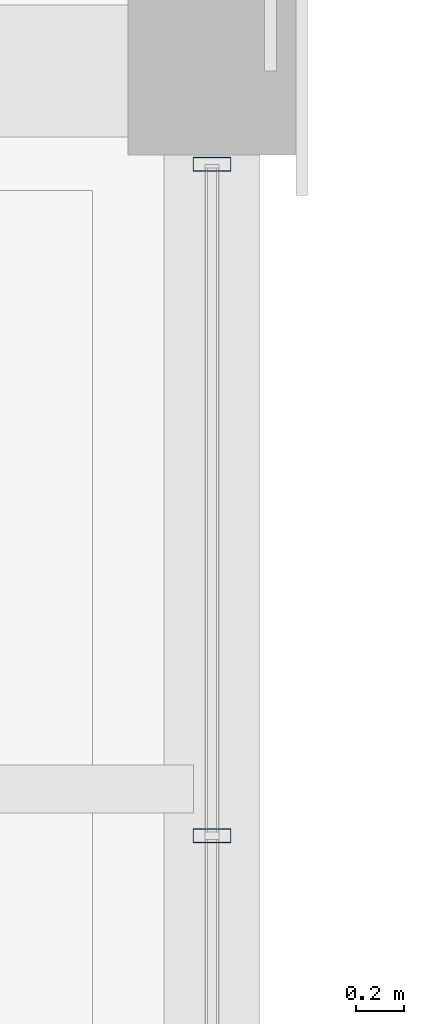
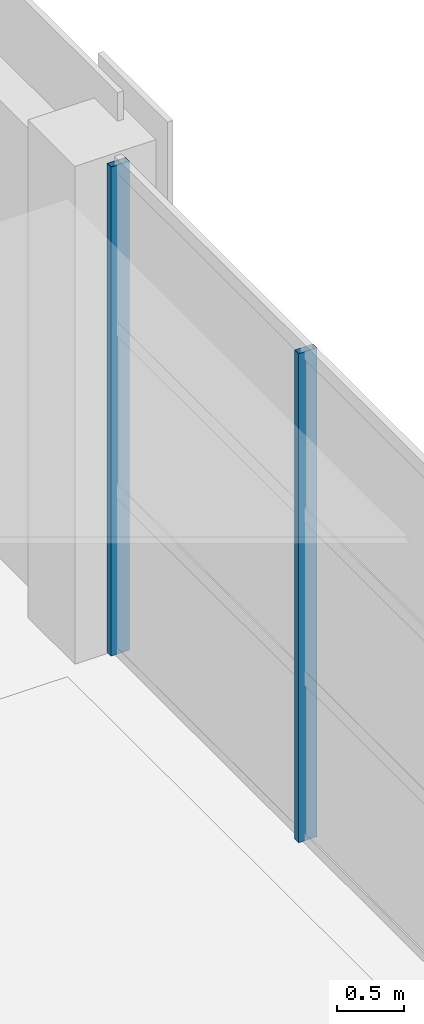
# One storey, part 39 of 112: 2 members, 1 element without a shape of its own.
"""IFC4 building model written with IfcOpenShell, lengths in metres."""

from ifc_helpers import new_model, si_unit, direction, frame, origin, origin_2d, place, context, subcontext, project, spatial, hollow_rectangle, extrude, material, material_profile, profile_set, type_object, element, aggregate, save


model = new_model("IFC4")

# Units and contexts
model_context = context("Model", 3, precision=1e-05, world=origin(), true_north=direction((0.0, 1.0)))
body_context = subcontext(model_context, "Body", "Model", "MODEL_VIEW")
ifc_project = project(units=[si_unit("LENGTHUNIT", "METRE"), si_unit("AREAUNIT", "SQUARE_METRE"), si_unit("VOLUMEUNIT", "CUBIC_METRE"), si_unit("PLANEANGLEUNIT", "RADIAN"), si_unit("MASSUNIT", "GRAM", prefix="KILO")], contexts=[model_context])

# Site, building, storey
site_placement = place(None, origin())
site = spatial("IfcSite", under=ifc_project, at=site_placement, CompositionType="ELEMENT")
building_placement = place(site_placement, origin())
building = spatial("IfcBuilding", under=site, at=building_placement, Name="Solvikara Media Centre", CompositionType="ELEMENT")
storey_placement = place(building_placement, frame((0.0, 0.0, 5.39990234375)))
storey = spatial("IfcBuildingStorey", under=building, at=storey_placement, Name="L01", CompositionType="ELEMENT", Elevation=5.39990234375)

# Curtain wall, members
ifc_material = material(Name="Anodised aluminium EN AW-6063", Category="aluminium")
curtain_wall_type = type_object("IfcCurtainWallType", Name="CW-07", PredefinedType="NOTDEFINED", material=ifc_material)
curtain_wall_placement = place(storey_placement, origin())
curtain_wall = element("IfcCurtainWall", 1, at=curtain_wall_placement, inside=storey, type_object=curtain_wall_type, Name="CW-L01-V4E-S2", PredefinedType="NOTDEFINED")
ifc_material_profile = material_profile(ifc_material, hollow_rectangle(XDim=0.06005859375, YDim=0.159912109375, WallThickness=0.00341796875, at=origin_2d()), Name="ALU-M 60x160x3.5")
ifc_profile_set = profile_set([ifc_material_profile], Name="Anodised aluminium EN AW-6063")
member_type = type_object("IfcMemberType", Name="MF-04", PredefinedType="MULLION", material=ifc_profile_set)
member_1_placement = place(storey_placement, frame((34.0, 65.304931640625, 0.02001953125), z_axis=(0.0, 0.0, 1.0), x_axis=(0.0, 1.0, 0.0)))
member_1 = element("IfcMember", 2, at=member_1_placement, type_object=member_type, Name="CW-L01-V4E-S2-M03", PredefinedType="MULLION", context=body_context, shape_type="SweptSolid", body=[
    extrude(hollow_rectangle(XDim=0.06005859375, YDim=0.159912109375, WallThickness=0.00341796875, at=origin_2d()), origin(), (0.0, 0.0, 1.0), 4.4599609375),
])
member_2_placement = place(storey_placement, frame((34.0, 68.110107421875, 0.02001953125), z_axis=(0.0, 0.0, 1.0), x_axis=(0.0, 1.0, 0.0)))
member_2 = element("IfcMember", 3, at=member_2_placement, type_object=member_type, Name="CW-L01-V4E-S2-M04", PredefinedType="MULLION", context=body_context, shape_type="SweptSolid", body=[
    extrude(hollow_rectangle(XDim=0.06005859375, YDim=0.159912109375, WallThickness=0.00341796875, at=origin_2d()), origin(), (0.0, 0.0, 1.0), 4.4599609375),
])
aggregate(curtain_wall, [member_1, member_2])

save(model, "model.ifc")
